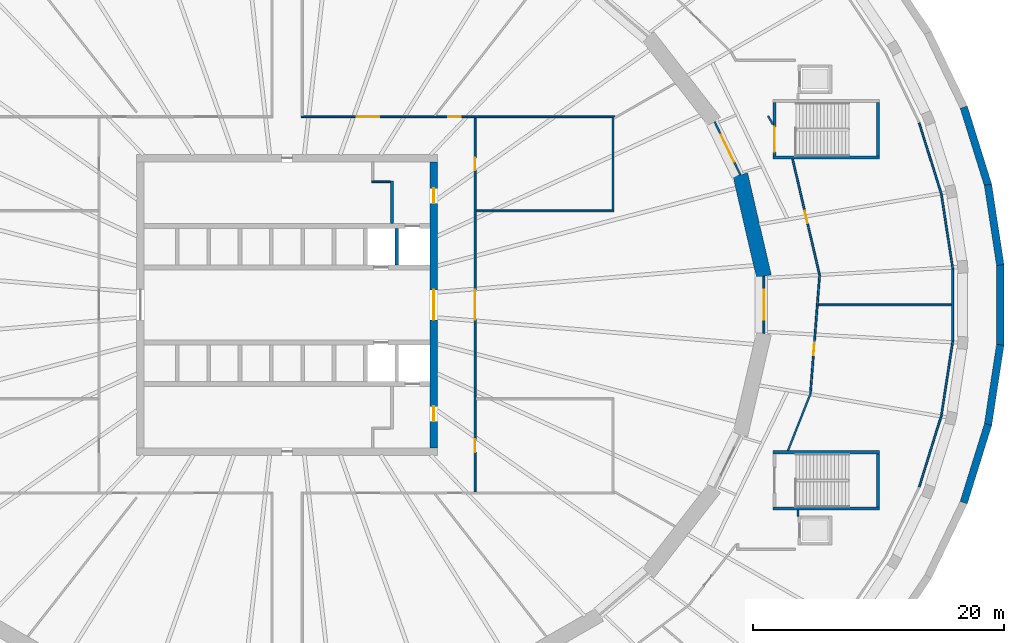
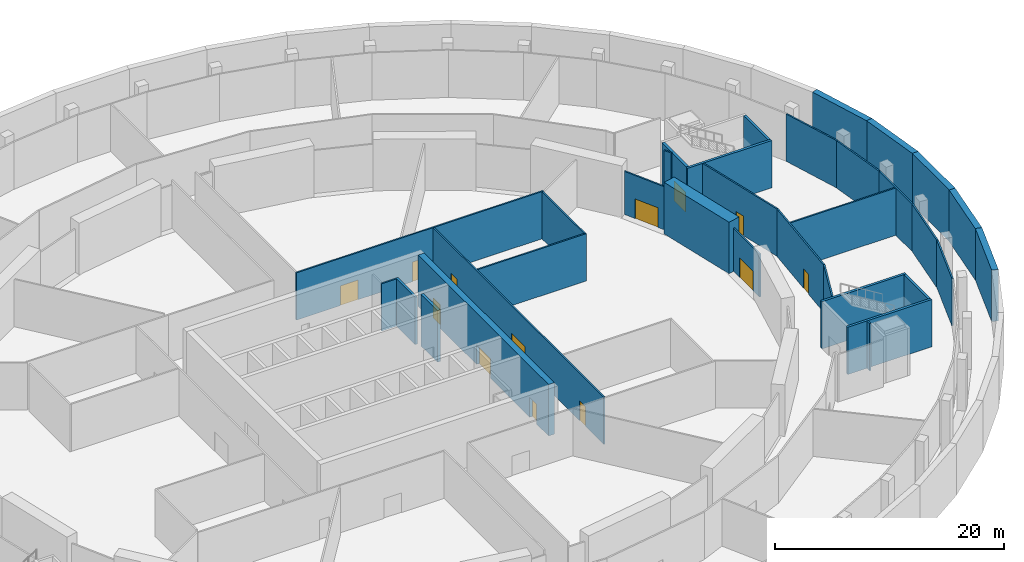
# One storey, part 9 of 14: 33 walls, 13 doors, 13 openings.
"""IFC4 building model written with IfcOpenShell, lengths in metres."""

from ifc_helpers import new_model, si_unit, direction, frame, frame_2d, origin, place, context, subcontext, project, spatial, polyline, rectangle, outline, extrude, material, layer, layer_set, type_object, element, fill, save


model = new_model("IFC4")

# Units and contexts
model_context = context("Model", 3, precision=1e-05, world=origin(), true_north=direction((0.0, 1.0)))
body_context = subcontext(model_context, "Body", "Model", "MODEL_VIEW")
ifc_project = project(units=[si_unit("LENGTHUNIT", "METRE"), si_unit("AREAUNIT", "SQUARE_METRE"), si_unit("VOLUMEUNIT", "CUBIC_METRE"), si_unit("PLANEANGLEUNIT", "RADIAN"), si_unit("MASSUNIT", "GRAM", prefix="KILO")], contexts=[model_context])

# Site, building, storey
site_placement = place(None, origin())
site = spatial("IfcSite", under=ifc_project, at=site_placement, CompositionType="ELEMENT")
building_placement = place(site_placement, origin())
building = spatial("IfcBuilding", under=site, at=building_placement, Name="Halqa Exchange Tower", CompositionType="ELEMENT")
storey_placement = place(building_placement, frame((0.0, 0.0, -9.5)))
storey = spatial("IfcBuildingStorey", under=building, at=storey_placement, Name="B2", CompositionType="ELEMENT", Elevation=-9.5)

# Wall, openings, doors
ifc_material_1 = material(Name="Fire-rated gypsum board")
ifc_layer_1 = layer(ifc_material_1, 0.14990234375)
ifc_layer_set_1 = layer_set([ifc_layer_1], Name="Fire-rated gypsum board")
wall_type_1 = type_object("IfcWallType", Name="Fire partition EI 60 150", PredefinedType="PARTITIONING", material=ifc_layer_set_1)
wall_1_placement = place(storey_placement, frame((1.125, 15.0, 0.0), z_axis=(0.0, 0.0, 1.0), x_axis=(1.0, 0.0, 0.0)))
wall_1 = element("IfcWall", 1, at=wall_1_placement, inside=storey, type_object=wall_type_1, Name="B2-PWL-080", PredefinedType="PARTITIONING", context=body_context, shape_type="SweptSolid", body=[
    extrude(rectangle(XDim=25.0048828125, YDim=0.14990234375, at=frame_2d((12.50244140625, 0.0))), origin(), (0.0, 0.0, 1.0), 5.050048828125),
])
opening_1_placement = place(wall_1_placement, frame((11.72509765625, 0.0, 0.0)))
opening_1 = element("IfcOpeningElement", 2, at=opening_1_placement, cuts=wall_1, Name="Opening B2-08", PredefinedType="OPENING", context=body_context, shape_type="SweptSolid", body=[
    extrude(rectangle(XDim=1.0, YDim=2.10009765625, at=frame_2d((0.5, 1.050048828125))), frame((0.0, 0.0869140625, 0.0), z_axis=(0.0, -1.0, 0.0), x_axis=(1.0, 0.0, 0.0)), (0.0, 0.0, 1.0), 0.173828125),
])
opening_2_placement = place(wall_1_placement, frame((4.444091796875, 0.0, 0.0)))
opening_2 = element("IfcOpeningElement", 3, at=opening_2_placement, cuts=wall_1, Name="Opening B2-09", PredefinedType="OPENING", context=body_context, shape_type="SweptSolid", body=[
    extrude(rectangle(XDim=1.800048828125, YDim=2.10009765625, at=frame_2d((0.89990234375, 1.050048828125))), frame((0.0, 0.0869140625, 0.0), z_axis=(0.0, -1.0, 0.0), x_axis=(1.0, 0.0, 0.0)), (0.0, 0.0, 1.0), 0.173828125),
])
ifc_material_2 = material(Name="Steel fire door leaf", Category="steel")
door_type_1 = type_object("IfcDoorType", Name="Fire door FD30S 1000 x 2100", OperationType="SINGLE_SWING_LEFT", PredefinedType="DOOR", material=ifc_material_2)
door_1_placement = place(opening_1_placement, frame((1.0, 0.0, 0.0), z_axis=(0.0, 0.0, 1.0), x_axis=(-1.0, 0.0, 0.0)))
door_1 = element("IfcDoor", 4, at=door_1_placement, inside=storey, type_object=door_type_1, Name="B2-IDR-008", OperationType="SINGLE_SWING_RIGHT", OverallHeight=2.10009765625, OverallWidth=1.0, PredefinedType="DOOR", context=body_context, shape_type="SweptSolid", body=[
    extrude(rectangle(XDim=1.0, YDim=2.10009765625, at=frame_2d((0.5, 1.050048828125))), frame((0.0, 0.02490234375, 0.0), z_axis=(0.0, -1.0, 0.0), x_axis=(1.0, 0.0, 0.0)), (0.0, 0.0, 1.0), 0.050048828125),
])
fill(opening_1, door_1)
door_type_2 = type_object("IfcDoorType", Name="Fire door FD30S double 1800 x 2100", OperationType="DOUBLE_DOOR_SINGLE_SWING", PredefinedType="DOOR", material=ifc_material_2)
door_2_placement = place(opening_2_placement, frame((1.800048828125, 0.0, 0.0), z_axis=(0.0, 0.0, 1.0), x_axis=(-1.0, 0.0, 0.0)))
door_2 = element("IfcDoor", 5, at=door_2_placement, inside=storey, type_object=door_type_2, Name="B2-IDR-009", OperationType="DOUBLE_DOOR_SINGLE_SWING", OverallHeight=2.10009765625, OverallWidth=1.800048828125, PredefinedType="DOOR", context=body_context, shape_type="SweptSolid", body=[
    extrude(rectangle(XDim=1.800048828125, YDim=2.10009765625, at=frame_2d((0.89990234375, 1.050048828125))), frame((0.0, 0.02490234375, 0.0), z_axis=(0.0, -1.0, 0.0), x_axis=(1.0, 0.0, 0.0)), (0.0, 0.0, 1.0), 0.050048828125),
])
fill(opening_2, door_2)

wall_2_placement = place(storey_placement, frame((15.0, -14.925048828125, 0.0), z_axis=(0.0, 0.0, 1.0), x_axis=(0.0, 1.0, 0.0)))
wall_2 = element("IfcWall", 6, at=wall_2_placement, inside=storey, type_object=wall_type_1, Name="B2-PWL-092", PredefinedType="PARTITIONING", context=body_context, shape_type="SweptSolid", body=[
    extrude(rectangle(XDim=29.85009765625, YDim=0.14990234375, at=frame_2d((14.925048828125, 0.0))), origin(), (0.0, 0.0, 1.0), 5.050048828125),
])
opening_3_placement = place(wall_2_placement, frame((25.659912109375, 0.0, 0.0)))
opening_3 = element("IfcOpeningElement", 7, at=opening_3_placement, cuts=wall_2, Name="Opening B2-01", PredefinedType="OPENING", context=body_context, shape_type="SweptSolid", body=[
    extrude(rectangle(XDim=1.0, YDim=2.10009765625, at=frame_2d((0.5, 1.050048828125))), frame((0.0, 0.0869140625, 0.0), z_axis=(0.0, -1.0, 0.0), x_axis=(1.0, 0.0, 0.0)), (0.0, 0.0, 1.0), 0.173828125),
])
opening_4_placement = place(wall_2_placement, frame((3.18994140625, 0.0, 0.0)))
opening_4 = element("IfcOpeningElement", 8, at=opening_4_placement, cuts=wall_2, Name="Opening B2-02", PredefinedType="OPENING", context=body_context, shape_type="SweptSolid", body=[
    extrude(rectangle(XDim=1.0, YDim=2.10009765625, at=frame_2d((0.5, 1.050048828125))), frame((0.0, 0.0869140625, 0.0), z_axis=(0.0, -1.0, 0.0), x_axis=(1.0, 0.0, 0.0)), (0.0, 0.0, 1.0), 0.173828125),
])
opening_5_placement = place(wall_2_placement, frame((13.72509765625, 0.0, 0.0)))
opening_5 = element("IfcOpeningElement", 9, at=opening_5_placement, cuts=wall_2, Name="Opening B2-07", PredefinedType="OPENING", context=body_context, shape_type="SweptSolid", body=[
    extrude(rectangle(XDim=2.39990234375, YDim=2.10009765625, at=frame_2d((1.199951171875, 1.050048828125))), frame((0.0, 0.0869140625, 0.0), z_axis=(0.0, -1.0, 0.0), x_axis=(1.0, 0.0, 0.0)), (0.0, 0.0, 1.0), 0.173828125),
])
door_3_placement = place(opening_3_placement, origin())
door_3 = element("IfcDoor", 10, at=door_3_placement, inside=storey, type_object=door_type_1, Name="B2-IDR-001", OperationType="SINGLE_SWING_LEFT", OverallHeight=2.10009765625, OverallWidth=1.0, PredefinedType="DOOR", context=body_context, shape_type="SweptSolid", body=[
    extrude(rectangle(XDim=1.0, YDim=2.10009765625, at=frame_2d((0.5, 1.050048828125))), frame((0.0, 0.02490234375, 0.0), z_axis=(0.0, -1.0, 0.0), x_axis=(1.0, 0.0, 0.0)), (0.0, 0.0, 1.0), 0.050048828125),
])
fill(opening_3, door_3)
door_4_placement = place(opening_4_placement, origin())
door_4 = element("IfcDoor", 11, at=door_4_placement, inside=storey, type_object=door_type_1, Name="B2-IDR-002", OperationType="SINGLE_SWING_RIGHT", OverallHeight=2.10009765625, OverallWidth=1.0, PredefinedType="DOOR", context=body_context, shape_type="SweptSolid", body=[
    extrude(rectangle(XDim=1.0, YDim=2.10009765625, at=frame_2d((0.5, 1.050048828125))), frame((0.0, 0.02490234375, 0.0), z_axis=(0.0, -1.0, 0.0), x_axis=(1.0, 0.0, 0.0)), (0.0, 0.0, 1.0), 0.050048828125),
])
fill(opening_4, door_4)
door_type_3 = type_object("IfcDoorType", Name="Fire door FD60S double 2400 x 2100", OperationType="DOUBLE_DOOR_SINGLE_SWING", PredefinedType="DOOR", material=ifc_material_2)
door_5_placement = place(opening_5_placement, origin())
door_5 = element("IfcDoor", 12, at=door_5_placement, inside=storey, type_object=door_type_3, Name="B2-IDR-007", OperationType="DOUBLE_DOOR_SINGLE_SWING", OverallHeight=2.10009765625, OverallWidth=2.39990234375, PredefinedType="DOOR", context=body_context, shape_type="SweptSolid", body=[
    extrude(rectangle(XDim=2.39990234375, YDim=2.10009765625, at=frame_2d((1.199951171875, 1.050048828125))), frame((0.0, 0.02490234375, 0.0), z_axis=(0.0, -1.0, 0.0), x_axis=(1.0, 0.0, 0.0)), (0.0, 0.0, 1.0), 0.050048828125),
])
fill(opening_5, door_5)

# Walls
wall_3_placement = place(storey_placement, frame((26.074951171875, 7.5, 0.0), z_axis=(0.0, 0.0, 1.0), x_axis=(-1.0, 0.0, 0.0)))
element("IfcWall", 13, at=wall_3_placement, inside=storey, type_object=wall_type_1, Name="B2-PWL-106", PredefinedType="PARTITIONING", context=body_context, shape_type="SweptSolid", body=[
    extrude(rectangle(XDim=11.0, YDim=0.14990234375, at=frame_2d((5.5, 0.0))), origin(), (0.0, 0.0, 1.0), 5.050048828125),
])
wall_4_placement = place(storey_placement, frame((26.0, 7.573974609375, 0.0), z_axis=(0.0, 0.0, 1.0), x_axis=(0.0, 1.0, 0.0)))
element("IfcWall", 14, at=wall_4_placement, inside=storey, type_object=wall_type_1, Name="B2-PWL-107", PredefinedType="PARTITIONING", context=body_context, shape_type="SweptSolid", body=[
    extrude(rectangle(XDim=7.35107421875, YDim=0.14990234375, at=frame_2d((3.675537109375, 0.0))), origin(), (0.0, 0.0, 1.0), 5.050048828125),
])

# Wall, opening, door
wall_5_placement = place(storey_placement, frame((34.09716796875, 14.605712890625, 0.0), z_axis=(0.0, 0.0, 1.0), x_axis=(0.436936398764, -0.899492403212, 0.0)))
wall_5 = element("IfcWall", 15, at=wall_5_placement, inside=storey, type_object=wall_type_1, Name="B2-PWL-116", PredefinedType="PARTITIONING", context=body_context, shape_type="SweptSolid", body=[
    extrude(outline(polyline([(0.015869140625, -0.074951171875), (4.680908203125, -0.074951171875), (4.715087890625, 0.074951171875), (-0.015869140625, 0.074951171875), (0.015869140625, -0.074951171875)])), origin(), (0.0, 0.0, 1.0), 4.60009765625),
])
opening_6_placement = place(wall_5_placement, frame((1.15234375, 0.0, 0.0)))
opening_6 = element("IfcOpeningElement", 16, at=opening_6_placement, cuts=wall_5, Name="Opening B2-17", PredefinedType="OPENING", context=body_context, shape_type="SweptSolid", body=[
    extrude(rectangle(XDim=2.39990234375, YDim=2.10009765625, at=frame_2d((1.199951171875, 1.050048828125))), frame((0.0, 0.0869140625, 0.0), z_axis=(0.0, -1.0, 0.0), x_axis=(1.0, 0.0, 0.0)), (0.0, 0.0, 1.0), 0.173828125),
])
door_6_placement = place(opening_6_placement, origin())
door_6 = element("IfcDoor", 17, at=door_6_placement, inside=storey, type_object=door_type_3, Name="B2-IDR-017", OperationType="DOUBLE_DOOR_SINGLE_SWING", OverallHeight=2.10009765625, OverallWidth=2.39990234375, PredefinedType="DOOR", context=body_context, shape_type="SweptSolid", body=[
    extrude(rectangle(XDim=2.39990234375, YDim=2.10009765625, at=frame_2d((1.199951171875, 1.050048828125))), frame((0.0, 0.02490234375, 0.0), z_axis=(0.0, -1.0, 0.0), x_axis=(1.0, 0.0, 0.0)), (0.0, 0.0, 1.0), 0.050048828125),
])
fill(opening_6, door_6)

wall_6_placement = place(storey_placement, frame((38.030029296875, 2.267578125, 0.0), z_axis=(0.0, 0.0, 1.0), x_axis=(0.0, -1.0, 0.0)))
wall_6 = element("IfcWall", 18, at=wall_6_placement, inside=storey, type_object=wall_type_1, Name="B2-PWL-124", PredefinedType="PARTITIONING", context=body_context, shape_type="SweptSolid", body=[
    extrude(outline(polyline([(0.017333984375, -0.074951171875), (4.517822265625, -0.074951171875), (4.552490234375, 0.074951171875), (-0.017333984375, 0.074951171875), (0.017333984375, -0.074951171875)])), origin(), (0.0, 0.0, 1.0), 4.60009765625),
])
opening_7_placement = place(wall_6_placement, frame((1.0673828125, 0.0, 0.0)))
opening_7 = element("IfcOpeningElement", 19, at=opening_7_placement, cuts=wall_6, Name="Opening B2-16", PredefinedType="OPENING", context=body_context, shape_type="SweptSolid", body=[
    extrude(rectangle(XDim=2.39990234375, YDim=2.10009765625, at=frame_2d((1.199951171875, 1.050048828125))), frame((0.0, 0.0869140625, 0.0), z_axis=(0.0, -1.0, 0.0), x_axis=(1.0, 0.0, 0.0)), (0.0, 0.0, 1.0), 0.173828125),
])
door_7_placement = place(opening_7_placement, origin())
door_7 = element("IfcDoor", 20, at=door_7_placement, inside=storey, type_object=door_type_3, Name="B2-IDR-016", OperationType="DOUBLE_DOOR_SINGLE_SWING", OverallHeight=2.10009765625, OverallWidth=2.39990234375, PredefinedType="DOOR", context=body_context, shape_type="SweptSolid", body=[
    extrude(rectangle(XDim=2.39990234375, YDim=2.10009765625, at=frame_2d((1.199951171875, 1.050048828125))), frame((0.0, 0.02490234375, 0.0), z_axis=(0.0, -1.0, 0.0), x_axis=(1.0, 0.0, 0.0)), (0.0, 0.0, 1.0), 0.050048828125),
])
fill(opening_7, door_7)

# Walls
wall_7_placement = place(storey_placement, frame((38.363037109375, 15.065185546875, 0.0), z_axis=(0.0, 0.0, 1.0), x_axis=(0.49173071, -0.870747327784, 0.0)))
element("IfcWall", 21, at=wall_7_placement, inside=storey, type_object=wall_type_1, Name="B2-PWL-125", PredefinedType="PARTITIONING", context=body_context, shape_type="SweptSolid", body=[
    extrude(outline(polyline([(0.0, -0.074951171875), (0.743408203125, -0.074951171875), (0.833251953125, 0.074951171875), (0.0, 0.074951171875), (0.0, -0.074951171875)])), origin(), (0.0, 0.0, 1.0), 5.050048828125),
])
wall_8_placement = place(storey_placement, frame((39.94775390625, -11.62548828125, 0.0), z_axis=(0.0, 0.0, 1.0), x_axis=(0.368047556164, 0.92980696728, 0.0)))
element("IfcWall", 22, at=wall_8_placement, inside=storey, type_object=wall_type_1, Name="B2-PWL-126", PredefinedType="PARTITIONING", context=body_context, shape_type="SweptSolid", body=[
    extrude(outline(polyline([(0.02978515625, -0.074951171875), (4.9140625, -0.074951171875), (4.9140625, 0.074951171875), (-0.02978515625, 0.074951171875), (0.02978515625, -0.074951171875)])), origin(), (0.0, 0.0, 1.0), 5.050048828125),
])

# Wall, opening, door
wall_9_placement = place(storey_placement, frame((40.321044921875, 11.62548828125, 0.0), z_axis=(0.0, 0.0, 1.0), x_axis=(0.226176729561, -0.974086283142, 0.0)))
wall_9 = element("IfcWall", 23, at=wall_9_placement, inside=storey, type_object=wall_type_1, Name="B2-PWL-128", PredefinedType="PARTITIONING", context=body_context, shape_type="SweptSolid", body=[
    extrude(outline(polyline([(-0.017333984375, -0.074951171875), (9.5009765625, -0.074951171875), (9.5009765625, 0.074951171875), (0.017333984375, 0.074951171875), (-0.017333984375, -0.074951171875)])), origin(), (0.0, 0.0, 1.0), 5.050048828125),
])
opening_8_placement = place(wall_9_placement, frame((4.248779296875, 0.0, 0.0)))
opening_8 = element("IfcOpeningElement", 24, at=opening_8_placement, cuts=wall_9, Name="Opening B2-21", PredefinedType="OPENING", context=body_context, shape_type="SweptSolid", body=[
    extrude(rectangle(XDim=1.0, YDim=2.10009765625, at=frame_2d((0.5, 1.050048828125))), frame((0.0, 0.0869140625, 0.0), z_axis=(0.0, -1.0, 0.0), x_axis=(1.0, 0.0, 0.0)), (0.0, 0.0, 1.0), 0.173828125),
])
door_8_placement = place(opening_8_placement, frame((1.0, 0.0, 0.0), z_axis=(0.0, 0.0, 1.0), x_axis=(-1.0, 0.0, 0.0)))
door_8 = element("IfcDoor", 25, at=door_8_placement, inside=storey, type_object=door_type_1, Name="B2-IDR-021", OperationType="SINGLE_SWING_LEFT", OverallHeight=2.10009765625, OverallWidth=1.0, PredefinedType="DOOR", context=body_context, shape_type="SweptSolid", body=[
    extrude(rectangle(XDim=1.0, YDim=2.10009765625, at=frame_2d((0.5, 1.050048828125))), frame((0.0, 0.02490234375, 0.0), z_axis=(0.0, -1.0, 0.0), x_axis=(1.0, 0.0, 0.0)), (0.0, 0.0, 1.0), 0.050048828125),
])
fill(opening_8, door_8)

# Wall
wall_10_placement = place(storey_placement, frame((40.75, -16.3740234375, 0.0), z_axis=(0.0, 0.0, 1.0), x_axis=(0.0, -1.0, 0.0)))
element("IfcWall", 26, at=wall_10_placement, inside=storey, type_object=wall_type_1, Name="B2-PWL-130", PredefinedType="PARTITIONING", context=body_context, shape_type="SweptSolid", body=[
    extrude(rectangle(XDim=0.47607421875, YDim=0.14990234375, at=frame_2d((0.238037109375, 0.0))), origin(), (0.0, 0.0, 1.0), 5.050048828125),
])

# Wall, opening, door
wall_11_placement = place(storey_placement, frame((41.7421875, -7.051513671875, 0.0), z_axis=(0.0, 0.0, 1.0), x_axis=(0.077460859739, 0.996995393775, 0.0)))
wall_11 = element("IfcWall", 27, at=wall_11_placement, inside=storey, type_object=wall_type_1, Name="B2-PWL-132", PredefinedType="PARTITIONING", context=body_context, shape_type="SweptSolid", body=[
    extrude(rectangle(XDim=9.4521484375, YDim=0.14990234375, at=frame_2d((4.72607421875, 0.0))), origin(), (0.0, 0.0, 1.0), 5.050048828125),
])
opening_9_placement = place(wall_11_placement, frame((3.037109375, 0.0, 0.0)))
opening_9 = element("IfcOpeningElement", 28, at=opening_9_placement, cuts=wall_11, Name="Opening B2-36", PredefinedType="OPENING", context=body_context, shape_type="SweptSolid", body=[
    extrude(rectangle(XDim=1.0, YDim=2.10009765625, at=frame_2d((0.5, 1.050048828125))), frame((0.0, 0.0869140625, 0.0), z_axis=(0.0, -1.0, 0.0), x_axis=(1.0, 0.0, 0.0)), (0.0, 0.0, 1.0), 0.173828125),
])
door_9_placement = place(opening_9_placement, frame((1.0, 0.0, 0.0), z_axis=(0.0, 0.0, 1.0), x_axis=(-1.0, 0.0, 0.0)))
door_9 = element("IfcDoor", 29, at=door_9_placement, inside=storey, type_object=door_type_1, Name="B2-IDR-036", OperationType="SINGLE_SWING_RIGHT", OverallHeight=2.10009765625, OverallWidth=1.0, PredefinedType="DOOR", context=body_context, shape_type="SweptSolid", body=[
    extrude(rectangle(XDim=1.0, YDim=2.10009765625, at=frame_2d((0.5, 1.050048828125))), frame((0.0, 0.02490234375, 0.0), z_axis=(0.0, -1.0, 0.0), x_axis=(1.0, 0.0, 0.0)), (0.0, 0.0, 1.0), 0.050048828125),
])
fill(opening_9, door_9)

# Walls
for number, where, z_axis, x_axis, name in (
    (30, (50.416259765625, -14.506103515625, 0.0), (0.0, 0.0, 1.0), (0.297713123711, 0.954655380737, 0.0), "B2-PWL-138"),
    (31, (50.416259765625, 14.506103515625, 0.0), (0.0, 0.0, 1.0), (0.297713123711, -0.954655380737, 0.0), "B2-PWL-139"),
):
    element("IfcWall", number, at=place(storey_placement, frame(where, z_axis=z_axis, x_axis=x_axis)), inside=storey, type_object=wall_type_1, Name=name, PredefinedType="PARTITIONING", context=body_context, shape_type="SweptSolid", body=[
        extrude(rectangle(XDim=6.0126953125, YDim=0.14990234375, at=frame_2d((3.00634765625, 0.0))), origin(), (0.0, 0.0, 1.0), 5.050048828125),
    ])
for number, where, z_axis, x_axis, name in (
    (32, (52.193359375, 8.762939453125, 0.0), (0.0, 0.0, 1.0), (0.151301640935, -0.988487639503, 0.0), "B2-PWL-140"),
    (33, (53.093505859375, -2.882080078125, 0.0), (0.0, 0.0, 1.0), (-0.151301640935, -0.988487639503, 0.0), "B2-PWL-141"),
):
    element("IfcWall", number, at=place(storey_placement, frame(where, z_axis=z_axis, x_axis=x_axis)), inside=storey, type_object=wall_type_1, Name=name, PredefinedType="PARTITIONING", context=body_context, shape_type="SweptSolid", body=[
        extrude(rectangle(XDim=5.949462890625, YDim=0.14990234375, at=frame_2d((2.974609375, 0.0))), origin(), (0.0, 0.0, 1.0), 5.050048828125),
    ])
wall_12_placement = place(storey_placement, frame((53.080078125, -2.880615234375, 0.0), z_axis=(0.0, 0.0, 1.0), x_axis=(0.0, 1.0, 0.0)))
element("IfcWall", 34, at=wall_12_placement, inside=storey, type_object=wall_type_1, Name="B2-PWL-142", PredefinedType="PARTITIONING", context=body_context, shape_type="SweptSolid", body=[
    extrude(rectangle(XDim=5.76123046875, YDim=0.14990234375, at=frame_2d((2.880615234375, 0.0))), origin(), (0.0, 0.0, 1.0), 5.050048828125),
])
wall_13_placement = place(storey_placement, frame((53.0048828125, 0.0, 0.0), z_axis=(0.0, 0.0, 1.0), x_axis=(-1.0, 0.0, 0.0)))
element("IfcWall", 35, at=wall_13_placement, inside=storey, type_object=wall_type_1, Name="B2-PWL-143", PredefinedType="PARTITIONING", context=body_context, shape_type="SweptSolid", body=[
    extrude(outline(polyline([(0.0, -0.074951171875), (10.634521484375, -0.074951171875), (10.646240234375, 0.074951171875), (0.0, 0.074951171875), (0.0, -0.074951171875)])), origin(), (0.0, 0.0, 1.0), 5.050048828125),
])
ifc_material_3 = material(Name="Gypsum board")
ifc_layer_2 = layer(ifc_material_3, 0.14990234375)
ifc_layer_set_2 = layer_set([ifc_layer_2], Name="Gypsum board")
wall_type_2 = type_object("IfcWallType", Name="Penthouse riser wall 150 gypsum", PredefinedType="PARTITIONING", material=ifc_layer_set_2)
wall_14_placement = place(storey_placement, frame((6.75, 9.824951171875, 0.0), z_axis=(0.0, 0.0, 1.0), x_axis=(1.0, 0.0, 0.0)))
element("IfcWall", 36, at=wall_14_placement, inside=storey, type_object=wall_type_2, Name="Firefighting lobby return wall N", PredefinedType="PARTITIONING", context=body_context, shape_type="SweptSolid", body=[
    extrude(rectangle(XDim=1.5, YDim=0.14990234375, at=frame_2d((0.75, 0.0))), origin(), (0.0, 0.0, 1.0), 5.050048828125),
])
ifc_material_4 = material(Name="Concrete C40/50", Category="concrete")
ifc_layer_3 = layer(ifc_material_4, 0.60009765625)
ifc_layer_set_3 = layer_set([ifc_layer_3], Name="Concrete C40/50")
wall_type_3 = type_object("IfcWallType", Name="RC basement wall 600", PredefinedType="SOLIDWALL", material=ifc_layer_set_3)
wall_15_placement = place(storey_placement, frame((56.881591796875, 3.18212890625, 0.0), z_axis=(0.0, 0.0, 1.0), x_axis=(-0.151402579615, 0.988472184174, 0.0)))
element("IfcWall", 37, at=wall_15_placement, inside=storey, type_object=wall_type_3, Name="Basement retaining wall", PredefinedType="SOLIDWALL", context=body_context, shape_type="SweptSolid", body=[
    extrude(rectangle(XDim=6.474365234375, YDim=0.60009765625, at=frame_2d((3.2373046875, 0.0))), origin(), (0.0, 0.0, 1.0), 5.5),
])
for number, where, z_axis, x_axis, name in (
    (38, (55.91162109375, 9.537841796875, 0.0), (0.0, 0.0, 1.0), (-0.297591507632, 0.954693298701, 0.0), "Basement retaining wall"),
    (39, (53.968505859375, -15.771484375, 0.0), (0.0, 0.0, 1.0), (0.297591507632, 0.954693298701, 0.0), "Basement retaining wall"),
):
    element("IfcWall", number, at=place(storey_placement, frame(where, z_axis=z_axis, x_axis=x_axis)), inside=storey, type_object=wall_type_3, Name=name, PredefinedType="SOLIDWALL", context=body_context, shape_type="SweptSolid", body=[
        extrude(rectangle(XDim=6.529541015625, YDim=0.60009765625, at=frame_2d((3.2646484375, 0.0))), origin(), (0.0, 0.0, 1.0), 5.5),
    ])
wall_16_placement = place(storey_placement, frame((55.9013671875, -9.581787109375, 0.0), z_axis=(0.0, 0.0, 1.0), x_axis=(0.151402579615, 0.988472184174, 0.0)))
element("IfcWall", 40, at=wall_16_placement, inside=storey, type_object=wall_type_3, Name="Basement retaining wall", PredefinedType="SOLIDWALL", context=body_context, shape_type="SweptSolid", body=[
    extrude(rectangle(XDim=6.474365234375, YDim=0.60009765625, at=frame_2d((3.2373046875, 0.0))), origin(), (0.0, 0.0, 1.0), 5.5),
])
wall_17_placement = place(storey_placement, frame((56.8779296875, -3.2275390625, 0.0), z_axis=(0.0, 0.0, 1.0), x_axis=(0.0, 1.0, 0.0)))
element("IfcWall", 41, at=wall_17_placement, inside=storey, type_object=wall_type_3, Name="Basement retaining wall", PredefinedType="SOLIDWALL", context=body_context, shape_type="SweptSolid", body=[
    extrude(rectangle(XDim=6.455078125, YDim=0.60009765625, at=frame_2d((3.2275390625, 0.0))), origin(), (0.0, 0.0, 1.0), 5.5),
])
ifc_material_5 = material(Name="Concrete C60/75", Category="concrete")
ifc_layer_4 = layer(ifc_material_5, 0.300048828125)
ifc_layer_set_4 = layer_set([ifc_layer_4], Name="Concrete C60/75")
wall_type_4 = type_object("IfcWallType", Name="RC core wall 300", PredefinedType="SHEAR", material=ifc_layer_set_4)
wall_18_placement = place(storey_placement, frame((8.75, 3.199951171875, 0.0), z_axis=(0.0, 0.0, 1.0), x_axis=(0.0, 1.0, 0.0)))
element("IfcWall", 42, at=wall_18_placement, inside=storey, type_object=wall_type_4, Name="Shaft divider N8", PredefinedType="SHEAR", context=body_context, shape_type="SweptSolid", body=[
    extrude(rectangle(XDim=2.900146484375, YDim=0.300048828125, at=frame_2d((1.4501953125, 0.0))), origin(), (0.0, 0.0, 1.0), 5.5),
])

# Wall, openings, doors
ifc_material_6 = material(Name="Concrete C80/95", Category="concrete")
ifc_layer_5 = layer(ifc_material_6, 0.60009765625)
ifc_layer_set_5 = layer_set([ifc_layer_5], Name="Concrete C80/95")
wall_type_5 = type_object("IfcWallType", Name="RC core wall 600 C80/95", PredefinedType="SHEAR", material=ifc_layer_set_5)
wall_19_placement = place(storey_placement, frame((11.699951171875, -11.39990234375, 0.0), z_axis=(0.0, 0.0, 1.0), x_axis=(0.0, 1.0, 0.0)))
wall_19 = element("IfcWall", 43, at=wall_19_placement, inside=storey, type_object=wall_type_5, Name="Core wall east", PredefinedType="SHEAR", context=body_context, shape_type="SweptSolid", body=[
    extrude(rectangle(XDim=22.7998046875, YDim=0.60009765625, at=frame_2d((11.39990234375, 0.0))), origin(), (0.0, 0.0, 1.0), 5.5),
])
opening_10_placement = place(wall_19_placement, frame((10.199951171875, 0.0, 0.0)))
opening_10 = element("IfcOpeningElement", 44, at=opening_10_placement, cuts=wall_19, Name="Opening B2-C06", PredefinedType="OPENING", context=body_context, shape_type="SweptSolid", body=[
    extrude(rectangle(XDim=2.39990234375, YDim=2.10009765625, at=frame_2d((1.199951171875, 1.050048828125))), frame((0.0, 0.31201171875, 0.0), z_axis=(0.0, -1.0, 0.0), x_axis=(1.0, 0.0, 0.0)), (0.0, 0.0, 1.0), 0.6240234375),
])
opening_11_placement = place(wall_19_placement, frame((19.5, 0.0, 0.0)))
opening_11 = element("IfcOpeningElement", 45, at=opening_11_placement, cuts=wall_19, Name="Opening B2-C15", PredefinedType="OPENING", context=body_context, shape_type="SweptSolid", body=[
    extrude(rectangle(XDim=1.199951171875, YDim=2.10009765625, at=frame_2d((0.60009765625, 1.050048828125))), frame((0.0, 0.31201171875, 0.0), z_axis=(0.0, -1.0, 0.0), x_axis=(1.0, 0.0, 0.0)), (0.0, 0.0, 1.0), 0.6240234375),
])
opening_12_placement = place(wall_19_placement, frame((2.10009765625, 0.0, 0.0)))
opening_12 = element("IfcOpeningElement", 46, at=opening_12_placement, cuts=wall_19, Name="Opening B2-C16", PredefinedType="OPENING", context=body_context, shape_type="SweptSolid", body=[
    extrude(rectangle(XDim=1.199951171875, YDim=2.10009765625, at=frame_2d((0.60009765625, 1.050048828125))), frame((0.0, 0.31201171875, 0.0), z_axis=(0.0, -1.0, 0.0), x_axis=(1.0, 0.0, 0.0)), (0.0, 0.0, 1.0), 0.6240234375),
])
door_type_4 = type_object("IfcDoorType", Name="Firefighting lobby door FD90 1200 x 2100", OperationType="SINGLE_SWING_RIGHT", PredefinedType="DOOR", material=ifc_material_2)
door_10_placement = place(opening_11_placement, origin())
door_10 = element("IfcDoor", 47, at=door_10_placement, inside=storey, type_object=door_type_4, Name="Firefighting lobby door", OperationType="SINGLE_SWING_RIGHT", OverallHeight=2.10009765625, OverallWidth=1.199951171875, PredefinedType="DOOR", context=body_context, shape_type="SweptSolid", body=[
    extrude(rectangle(XDim=1.199951171875, YDim=2.10009765625, at=frame_2d((0.60009765625, 1.050048828125))), frame((0.0, 0.02490234375, 0.0), z_axis=(0.0, -1.0, 0.0), x_axis=(1.0, 0.0, 0.0)), (0.0, 0.0, 1.0), 0.050048828125),
])
fill(opening_11, door_10)
door_11_placement = place(opening_12_placement, origin())
door_11 = element("IfcDoor", 48, at=door_11_placement, inside=storey, type_object=door_type_4, Name="Firefighting lobby door", OperationType="SINGLE_SWING_LEFT", OverallHeight=2.10009765625, OverallWidth=1.199951171875, PredefinedType="DOOR", context=body_context, shape_type="SweptSolid", body=[
    extrude(rectangle(XDim=1.199951171875, YDim=2.10009765625, at=frame_2d((0.60009765625, 1.050048828125))), frame((0.0, 0.02490234375, 0.0), z_axis=(0.0, -1.0, 0.0), x_axis=(1.0, 0.0, 0.0)), (0.0, 0.0, 1.0), 0.050048828125),
])
fill(opening_12, door_11)
door_type_5 = type_object("IfcDoorType", Name="Lobby double door FD60 2400 x 2100", OperationType="DOUBLE_DOOR_SINGLE_SWING", PredefinedType="DOOR", material=ifc_material_2)
door_12_placement = place(opening_10_placement, frame((2.39990234375, 0.0, 0.0), z_axis=(0.0, 0.0, 1.0), x_axis=(-1.0, 0.0, 0.0)))
door_12 = element("IfcDoor", 49, at=door_12_placement, inside=storey, type_object=door_type_5, Name="Lift lobby double door", OperationType="DOUBLE_DOOR_SINGLE_SWING", OverallHeight=2.10009765625, OverallWidth=2.39990234375, PredefinedType="DOOR", context=body_context, shape_type="SweptSolid", body=[
    extrude(rectangle(XDim=2.39990234375, YDim=2.10009765625, at=frame_2d((1.199951171875, 1.050048828125))), frame((0.0, 0.02490234375, 0.0), z_axis=(0.0, -1.0, 0.0), x_axis=(1.0, 0.0, 0.0)), (0.0, 0.0, 1.0), 0.050048828125),
])
fill(opening_10, door_12)

# Walls
ifc_layer_6 = layer(ifc_material_6, 1.199951171875)
ifc_layer_set_6 = layer_set([ifc_layer_6], Name="Concrete C80/95")
wall_type_6 = type_object("IfcWallType", Name="RC ring pier 1200 C80/95", PredefinedType="SHEAR", material=ifc_layer_set_6)
wall_20_placement = place(storey_placement, frame((38.03173828125, 2.26708984375, 0.0), z_axis=(0.0, 0.0, 1.0), x_axis=(-0.226058185805, 0.974113800657, 0.0)))
element("IfcWall", 50, at=wall_20_placement, inside=storey, type_object=wall_type_6, Name="Ring pier 1", PredefinedType="SHEAR", context=body_context, shape_type="SweptSolid", body=[
    extrude(rectangle(XDim=8.328857421875, YDim=1.199951171875, at=frame_2d((4.16455078125, 0.0))), origin(), (0.0, 0.0, 1.0), 5.5),
])
ifc_material_7 = material(Name="Concrete C30/37", Category="concrete")
ifc_layer_7 = layer(ifc_material_7, 0.25)
ifc_layer_set_7 = layer_set([ifc_layer_7], Name="Concrete C30/37")
wall_type_7 = type_object("IfcWallType", Name="RC stair wall 250 C30/37", PredefinedType="SHEAR", material=ifc_layer_set_7)
wall_21_placement = place(storey_placement, frame((8.375, 6.5, 0.0), z_axis=(0.0, 0.0, 1.0), x_axis=(0.0, 1.0, 0.0)))
element("IfcWall", 51, at=wall_21_placement, inside=storey, type_object=wall_type_7, Name="Stair ST2 east wall N", PredefinedType="SHEAR", context=body_context, shape_type="SweptSolid", body=[
    extrude(rectangle(XDim=3.39990234375, YDim=0.25, at=frame_2d((1.699951171875, 0.0))), origin(), (0.0, 0.0, 1.0), 5.050048828125),
])
wall_22_placement = place(storey_placement, frame((38.75, 11.75, 0.0), z_axis=(0.0, 0.0, 1.0), x_axis=(1.0, 0.0, 0.0)))
element("IfcWall", 52, at=wall_22_placement, inside=storey, type_object=wall_type_7, Name="Stair SS1 wall south", PredefinedType="SHEAR", context=body_context, shape_type="SweptSolid", body=[
    extrude(rectangle(XDim=8.5, YDim=0.25, at=frame_2d((4.25, 0.0))), origin(), (0.0, 0.0, 1.0), 5.050048828125),
])

# Wall, opening, door
wall_23_placement = place(storey_placement, frame((38.875, 11.875, 0.0), z_axis=(0.0, 0.0, 1.0), x_axis=(0.0, 1.0, 0.0)))
wall_23 = element("IfcWall", 53, at=wall_23_placement, inside=storey, type_object=wall_type_7, Name="Stair SS1 wall west", PredefinedType="SHEAR", context=body_context, shape_type="SweptSolid", body=[
    extrude(rectangle(XDim=4.25, YDim=0.25, at=frame_2d((2.125, 0.0))), origin(), (0.0, 0.0, 1.0), 5.050048828125),
])
opening_13_placement = place(wall_23_placement, frame((0.324951171875, 0.0, 0.0)))
opening_13 = element("IfcOpeningElement", 54, at=opening_13_placement, cuts=wall_23, Name="Opening B2-C11", PredefinedType="OPENING", context=body_context, shape_type="SweptSolid", body=[
    extrude(rectangle(XDim=2.0, YDim=2.10009765625, at=frame_2d((1.0, 1.050048828125))), frame((0.0, 0.136962890625, 0.0), z_axis=(0.0, -1.0, 0.0), x_axis=(1.0, 0.0, 0.0)), (0.0, 0.0, 1.0), 0.27392578125),
])
door_type_6 = type_object("IfcDoorType", Name="Station stair double door FD90 2000 x 2100", OperationType="DOUBLE_DOOR_SINGLE_SWING", PredefinedType="DOOR", material=ifc_material_2)
door_13_placement = place(opening_13_placement, frame((2.0, 0.0, 0.0), z_axis=(0.0, 0.0, 1.0), x_axis=(-1.0, 0.0, 0.0)))
door_13 = element("IfcDoor", 55, at=door_13_placement, inside=storey, type_object=door_type_6, Name="Core room door", OperationType="DOUBLE_DOOR_SINGLE_SWING", OverallHeight=2.10009765625, OverallWidth=2.0, PredefinedType="DOOR", context=body_context, shape_type="SweptSolid", body=[
    extrude(rectangle(XDim=2.0, YDim=2.10009765625, at=frame_2d((1.0, 1.050048828125))), frame((0.0, 0.02490234375, 0.0), z_axis=(0.0, -1.0, 0.0), x_axis=(1.0, 0.0, 0.0)), (0.0, 0.0, 1.0), 0.050048828125),
])
fill(opening_13, door_13)

# Walls
wall_24_placement = place(storey_placement, frame((47.125, 11.875, 0.0), z_axis=(0.0, 0.0, 1.0), x_axis=(0.0, 1.0, 0.0)))
element("IfcWall", 56, at=wall_24_placement, inside=storey, type_object=wall_type_7, Name="Stair SS1 wall east", PredefinedType="SHEAR", context=body_context, shape_type="SweptSolid", body=[
    extrude(rectangle(XDim=4.25, YDim=0.25, at=frame_2d((2.125, 0.0))), origin(), (0.0, 0.0, 1.0), 5.050048828125),
])
for number, where, z_axis, x_axis, name in (
    (57, (38.75, -11.75, 0.0), (0.0, 0.0, 1.0), (1.0, 0.0, 0.0), "Stair SS2 wall north"),
    (58, (38.75, -16.25, 0.0), (0.0, 0.0, 1.0), (1.0, 0.0, 0.0), "Stair SS2 wall south"),
):
    element("IfcWall", number, at=place(storey_placement, frame(where, z_axis=z_axis, x_axis=x_axis)), inside=storey, type_object=wall_type_7, Name=name, PredefinedType="SHEAR", context=body_context, shape_type="SweptSolid", body=[
        extrude(rectangle(XDim=8.5, YDim=0.25, at=frame_2d((4.25, 0.0))), origin(), (0.0, 0.0, 1.0), 5.050048828125),
    ])
wall_25_placement = place(storey_placement, frame((47.125, -16.125, 0.0), z_axis=(0.0, 0.0, 1.0), x_axis=(0.0, 1.0, 0.0)))
element("IfcWall", 59, at=wall_25_placement, inside=storey, type_object=wall_type_7, Name="Stair SS2 wall east", PredefinedType="SHEAR", context=body_context, shape_type="SweptSolid", body=[
    extrude(rectangle(XDim=4.25, YDim=0.25, at=frame_2d((2.125, 0.0))), origin(), (0.0, 0.0, 1.0), 5.050048828125),
])

save(model, "model.ifc")
